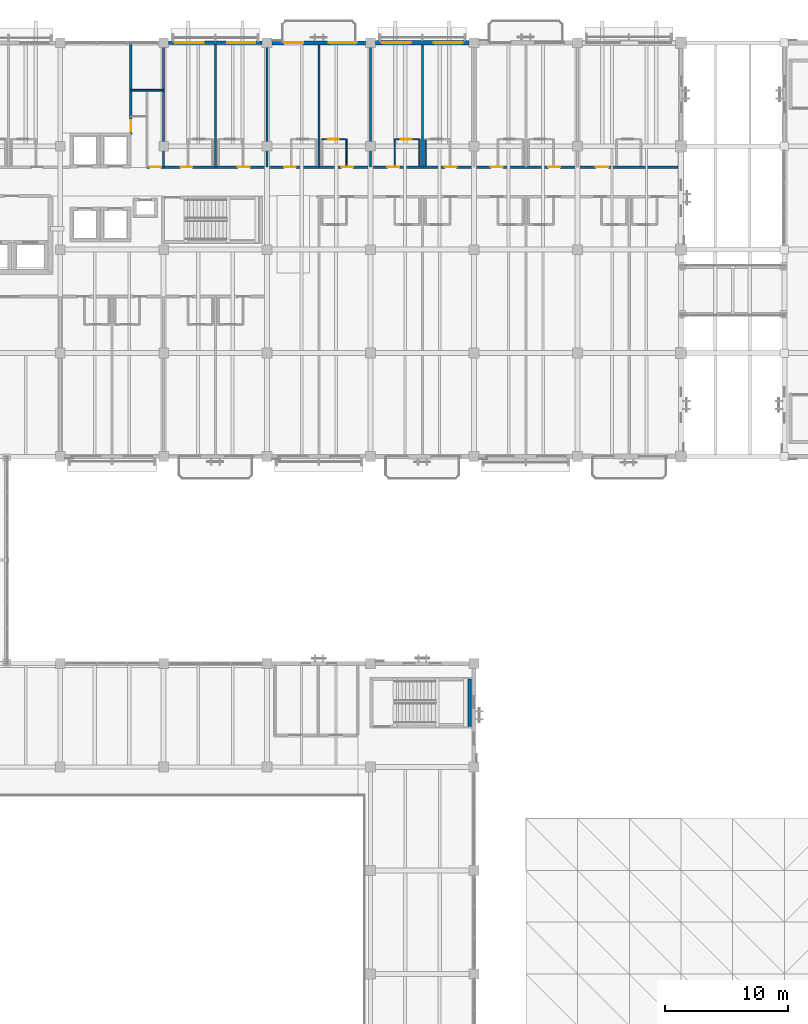
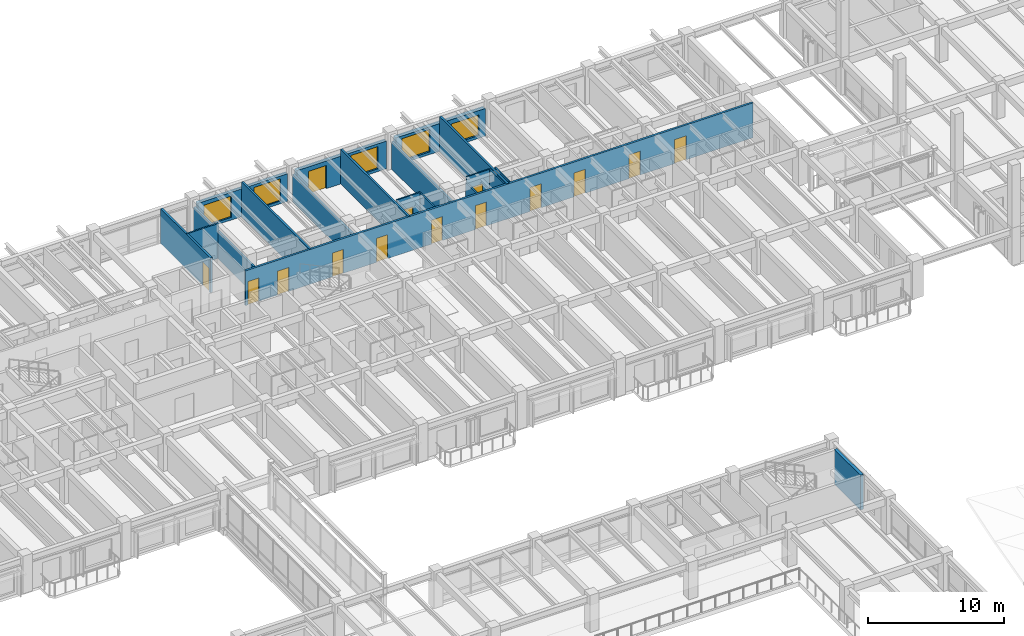
# One storey, part 89 of 123: 19 walls, 14 doors, 5 windows, 19 openings.
"""IFC4 building model written with IfcOpenShell, lengths in metres."""

from ifc_helpers import new_model, si_unit, direction, frame, frame_2d, origin, place, context, subcontext, project, spatial, rectangle, extrude, material, layer, layer_set, type_object, element, fill, save


model = new_model("IFC4")

# Units and contexts
model_context = context("Model", 3, precision=1e-05, world=origin(), true_north=direction((0.0, 1.0)))
body_context = subcontext(model_context, "Body", "Model", "MODEL_VIEW")
ifc_project = project(units=[si_unit("LENGTHUNIT", "METRE"), si_unit("AREAUNIT", "SQUARE_METRE"), si_unit("VOLUMEUNIT", "CUBIC_METRE"), si_unit("PLANEANGLEUNIT", "RADIAN"), si_unit("MASSUNIT", "GRAM", prefix="KILO")], contexts=[model_context])

# Site, building, storey
site_placement = place(None, origin())
site = spatial("IfcSite", under=ifc_project, at=site_placement, CompositionType="ELEMENT")
building_placement = place(site_placement, origin())
building = spatial("IfcBuilding", under=site, at=building_placement, Name="Cumbredor Promenade Congress Hotel", CompositionType="ELEMENT")
storey_placement = place(building_placement, frame((0.0, 0.0, 11.760009765625)))
storey = spatial("IfcBuildingStorey", under=building, at=storey_placement, Name="L03", CompositionType="ELEMENT", Elevation=11.760009765625)

# Wall, opening, door
ifc_material_1 = material(Name="Moisture-resistant gypsum board on steel studs", Category="steel")
ifc_layer_1 = layer(ifc_material_1, 0.114990234375, Name="Moisture-resistant gypsum board on steel studs", Category="steel")
ifc_layer_set_1 = layer_set([ifc_layer_1], Name="Moisture-resistant gypsum board on steel studs")
wall_type_1 = type_object("IfcWallType", Name="WL-BATH-115", PredefinedType="PARTITIONING", material=ifc_layer_set_1)
wall_1_placement = place(storey_placement, frame((54.840087890625, 109.77001953125, 0.0), z_axis=(0.0, 0.0, 1.0), x_axis=(1.0, 0.0, 0.0)))
wall_1 = element("IfcWall", 1, at=wall_1_placement, inside=storey, type_object=wall_type_1, Name="L03 Interior Partition W-L03-BH-0311", PredefinedType="PARTITIONING", context=body_context, shape_type="SweptSolid", body=[
    extrude(rectangle(XDim=2.0, YDim=0.114990234375, at=frame_2d((1.0, 0.0))), origin(), (0.0, 0.0, 1.0), 3.119873046875),
])
opening_1_placement = place(wall_1_placement, frame((0.5, 0.0, 0.0)))
opening_1 = element("IfcOpeningElement", 2, at=opening_1_placement, cuts=wall_1, Name="Opening ID-01", PredefinedType="OPENING", context=body_context, shape_type="SweptSolid", body=[
    extrude(rectangle(XDim=0.860107421875, YDim=2.050048828125, at=frame_2d((0.43017578125, 1.02490234375))), frame((0.0, 0.0673828125, 0.0), z_axis=(0.0, -1.0, 0.0), x_axis=(1.0, 0.0, 0.0)), (0.0, 0.0, 1.0), 0.135009765625),
])
ifc_material_2 = material(Name="Kiln-dried tropical hardwood", Category="wood")
door_type_1 = type_object("IfcDoorType", Name="DR-BATH-860", OperationType="NOTDEFINED", PredefinedType="DOOR", material=ifc_material_2)
door_1_placement = place(opening_1_placement, origin())
door_1 = element("IfcDoor", 3, at=door_1_placement, inside=storey, type_object=door_type_1, Name="L03 Interior Door W-L03-BH-0311-01", OperationType="SINGLE_SWING_LEFT", OverallHeight=2.050048828125, OverallWidth=0.860107421875, PredefinedType="DOOR", context=body_context, shape_type="SweptSolid", body=[
    extrude(rectangle(XDim=0.860107421875, YDim=2.050048828125, at=frame_2d((0.43017578125, 1.02490234375))), frame((0.0, 0.02490234375, 0.0), z_axis=(0.0, -1.0, 0.0), x_axis=(1.0, 0.0, 0.0)), (0.0, 0.0, 1.0), 0.050048828125),
])
fill(opening_1, door_1)

# Wall
wall_2_placement = place(storey_placement, frame((56.840087890625, 107.6201171875, 0.0), z_axis=(0.0, 0.0, 1.0), x_axis=(0.0, 1.0, 0.0)))
element("IfcWall", 4, at=wall_2_placement, inside=storey, type_object=wall_type_1, Name="L03 Interior Partition W-L03-BV2-0311", PredefinedType="PARTITIONING", context=body_context, shape_type="SweptSolid", body=[
    extrude(rectangle(XDim=2.14990234375, YDim=0.114990234375, at=frame_2d((1.074951171875, 0.0))), origin(), (0.0, 0.0, 1.0), 3.119873046875),
])

# Wall, opening, door
wall_3_placement = place(storey_placement, frame((60.760009765625, 109.77001953125, 0.0), z_axis=(0.0, 0.0, 1.0), x_axis=(1.0, 0.0, 0.0)))
wall_3 = element("IfcWall", 5, at=wall_3_placement, inside=storey, type_object=wall_type_1, Name="L03 Interior Partition W-L03-BH-0312", PredefinedType="PARTITIONING", context=body_context, shape_type="SweptSolid", body=[
    extrude(rectangle(XDim=2.0, YDim=0.114990234375, at=frame_2d((1.0, 0.0))), origin(), (0.0, 0.0, 1.0), 3.119873046875),
])
opening_2_placement = place(wall_3_placement, frame((0.5, 0.0, 0.0)))
opening_2 = element("IfcOpeningElement", 6, at=opening_2_placement, cuts=wall_3, Name="Opening ID-01", PredefinedType="OPENING", context=body_context, shape_type="SweptSolid", body=[
    extrude(rectangle(XDim=0.860107421875, YDim=2.050048828125, at=frame_2d((0.43017578125, 1.02490234375))), frame((0.0, 0.0673828125, 0.0), z_axis=(0.0, -1.0, 0.0), x_axis=(1.0, 0.0, 0.0)), (0.0, 0.0, 1.0), 0.135009765625),
])
door_2_placement = place(opening_2_placement, origin())
door_2 = element("IfcDoor", 7, at=door_2_placement, inside=storey, type_object=door_type_1, Name="L03 Interior Door W-L03-BH-0312-01", OperationType="SINGLE_SWING_RIGHT", OverallHeight=2.050048828125, OverallWidth=0.860107421875, PredefinedType="DOOR", context=body_context, shape_type="SweptSolid", body=[
    extrude(rectangle(XDim=0.860107421875, YDim=2.050048828125, at=frame_2d((0.43017578125, 1.02490234375))), frame((0.0, 0.02490234375, 0.0), z_axis=(0.0, -1.0, 0.0), x_axis=(1.0, 0.0, 0.0)), (0.0, 0.0, 1.0), 0.050048828125),
])
fill(opening_2, door_2)

# Walls
wall_4_placement = place(storey_placement, frame((60.760009765625, 107.6201171875, 0.0), z_axis=(0.0, 0.0, 1.0), x_axis=(0.0, 1.0, 0.0)))
element("IfcWall", 8, at=wall_4_placement, inside=storey, type_object=wall_type_1, Name="L03 Interior Partition W-L03-BV1-0312", PredefinedType="PARTITIONING", context=body_context, shape_type="SweptSolid", body=[
    extrude(rectangle(XDim=2.14990234375, YDim=0.114990234375, at=frame_2d((1.074951171875, 0.0))), origin(), (0.0, 0.0, 1.0), 2.64208984375),
])
for number, where, z_axis, x_axis, name in (
    (9, (62.760009765625, 107.6201171875, 0.0), (0.0, 0.0, 1.0), (0.0, 1.0, 0.0), "L03 Interior Partition W-L03-BV2-0312"),
    (10, (63.239990234375, 107.6201171875, 0.0), (0.0, 0.0, 1.0), (0.0, 1.0, 0.0), "L03 Interior Partition W-L03-BV1-0313"),
):
    element("IfcWall", number, at=place(storey_placement, frame(where, z_axis=z_axis, x_axis=x_axis)), inside=storey, type_object=wall_type_1, Name=name, PredefinedType="PARTITIONING", context=body_context, shape_type="SweptSolid", body=[
        extrude(rectangle(XDim=2.14990234375, YDim=0.114990234375, at=frame_2d((1.074951171875, 0.0))), origin(), (0.0, 0.0, 1.0), 3.119873046875),
    ])

# Wall, openings, doors
ifc_material_3 = material(Name="Fire-rated hotel corridor wall")
ifc_layer_2 = layer(ifc_material_3, 0.179931640625, Name="Fire-rated hotel corridor wall")
ifc_layer_set_2 = layer_set([ifc_layer_2], Name="Fire-rated hotel corridor wall")
wall_type_2 = type_object("IfcWallType", Name="WL-CORR-180", PredefinedType="PARTITIONING", material=ifc_layer_set_2)
wall_5_placement = place(storey_placement, frame((40.659912109375, 107.5, 0.0), z_axis=(0.0, 0.0, 1.0), x_axis=(1.0, 0.0, 0.0)))
wall_5 = element("IfcWall", 11, at=wall_5_placement, inside=storey, type_object=wall_type_2, Name="L03 Interior Partition W-L03-CORR-NE", PredefinedType="PARTITIONING", context=body_context, shape_type="SweptSolid", body=[
    extrude(rectangle(XDim=43.114990234375, YDim=0.179931640625, at=frame_2d((21.5576171875, 0.0))), origin(), (0.0, 0.0, 1.0), 3.119873046875),
])
opening_3_placement = place(wall_5_placement, frame((0.199951171875, 0.0, 0.0)))
opening_3 = element("IfcOpeningElement", 12, at=opening_3_placement, cuts=wall_5, Name="Opening FD-03", PredefinedType="OPENING", context=body_context, shape_type="SweptSolid", body=[
    extrude(rectangle(XDim=0.93994140625, YDim=2.10009765625, at=frame_2d((0.469970703125, 1.050048828125))), frame((0.0, 0.10009765625, 0.0), z_axis=(0.0, -1.0, 0.0), x_axis=(1.0, 0.0, 0.0)), (0.0, 0.0, 1.0), 0.199951171875),
])
opening_4_placement = place(wall_5_placement, frame((2.7099609375, 0.0, 0.0)))
opening_4 = element("IfcOpeningElement", 13, at=opening_4_placement, cuts=wall_5, Name="Opening FD-01", PredefinedType="OPENING", context=body_context, shape_type="SweptSolid", body=[
    extrude(rectangle(XDim=0.9599609375, YDim=2.14990234375, at=frame_2d((0.47998046875, 1.074951171875))), frame((0.0, 0.10009765625, 0.0), z_axis=(0.0, -1.0, 0.0), x_axis=(1.0, 0.0, 0.0)), (0.0, 0.0, 1.0), 0.199951171875),
])
opening_5_placement = place(wall_5_placement, frame((7.3701171875, 0.0, 0.0)))
opening_5 = element("IfcOpeningElement", 14, at=opening_5_placement, cuts=wall_5, Name="Opening FD-01", PredefinedType="OPENING", context=body_context, shape_type="SweptSolid", body=[
    extrude(rectangle(XDim=0.9599609375, YDim=2.14990234375, at=frame_2d((0.47998046875, 1.074951171875))), frame((0.0, 0.10009765625, 0.0), z_axis=(0.0, -1.0, 0.0), x_axis=(1.0, 0.0, 0.0)), (0.0, 0.0, 1.0), 0.199951171875),
])
opening_6_placement = place(wall_5_placement, frame((11.110107421875, 0.0, 0.0)))
opening_6 = element("IfcOpeningElement", 15, at=opening_6_placement, cuts=wall_5, Name="Opening FD-01", PredefinedType="OPENING", context=body_context, shape_type="SweptSolid", body=[
    extrude(rectangle(XDim=0.9599609375, YDim=2.14990234375, at=frame_2d((0.47998046875, 1.074951171875))), frame((0.0, 0.10009765625, 0.0), z_axis=(0.0, -1.0, 0.0), x_axis=(1.0, 0.0, 0.0)), (0.0, 0.0, 1.0), 0.199951171875),
])
opening_7_placement = place(wall_5_placement, frame((15.77001953125, 0.0, 0.0)))
opening_7 = element("IfcOpeningElement", 16, at=opening_7_placement, cuts=wall_5, Name="Opening FD-01", PredefinedType="OPENING", context=body_context, shape_type="SweptSolid", body=[
    extrude(rectangle(XDim=0.9599609375, YDim=2.14990234375, at=frame_2d((0.47998046875, 1.074951171875))), frame((0.0, 0.10009765625, 0.0), z_axis=(0.0, -1.0, 0.0), x_axis=(1.0, 0.0, 0.0)), (0.0, 0.0, 1.0), 0.199951171875),
])
opening_8_placement = place(wall_5_placement, frame((19.510009765625, 0.0, 0.0)))
opening_8 = element("IfcOpeningElement", 17, at=opening_8_placement, cuts=wall_5, Name="Opening FD-01", PredefinedType="OPENING", context=body_context, shape_type="SweptSolid", body=[
    extrude(rectangle(XDim=0.9599609375, YDim=2.14990234375, at=frame_2d((0.47998046875, 1.074951171875))), frame((0.0, 0.10009765625, 0.0), z_axis=(0.0, -1.0, 0.0), x_axis=(1.0, 0.0, 0.0)), (0.0, 0.0, 1.0), 0.199951171875),
])
opening_9_placement = place(wall_5_placement, frame((24.169921875, 0.0, 0.0)))
opening_9 = element("IfcOpeningElement", 18, at=opening_9_placement, cuts=wall_5, Name="Opening FD-01", PredefinedType="OPENING", context=body_context, shape_type="SweptSolid", body=[
    extrude(rectangle(XDim=0.9599609375, YDim=2.14990234375, at=frame_2d((0.47998046875, 1.074951171875))), frame((0.0, 0.10009765625, 0.0), z_axis=(0.0, -1.0, 0.0), x_axis=(1.0, 0.0, 0.0)), (0.0, 0.0, 1.0), 0.199951171875),
])
opening_10_placement = place(wall_5_placement, frame((27.909912109375, 0.0, 0.0)))
opening_10 = element("IfcOpeningElement", 19, at=opening_10_placement, cuts=wall_5, Name="Opening FD-01", PredefinedType="OPENING", context=body_context, shape_type="SweptSolid", body=[
    extrude(rectangle(XDim=0.9599609375, YDim=2.14990234375, at=frame_2d((0.47998046875, 1.074951171875))), frame((0.0, 0.10009765625, 0.0), z_axis=(0.0, -1.0, 0.0), x_axis=(1.0, 0.0, 0.0)), (0.0, 0.0, 1.0), 0.199951171875),
])
opening_11_placement = place(wall_5_placement, frame((32.570068359375, 0.0, 0.0)))
opening_11 = element("IfcOpeningElement", 20, at=opening_11_placement, cuts=wall_5, Name="Opening FD-01", PredefinedType="OPENING", context=body_context, shape_type="SweptSolid", body=[
    extrude(rectangle(XDim=0.9599609375, YDim=2.14990234375, at=frame_2d((0.47998046875, 1.074951171875))), frame((0.0, 0.10009765625, 0.0), z_axis=(0.0, -1.0, 0.0), x_axis=(1.0, 0.0, 0.0)), (0.0, 0.0, 1.0), 0.199951171875),
])
opening_12_placement = place(wall_5_placement, frame((36.43994140625, 0.0, 0.0)))
opening_12 = element("IfcOpeningElement", 21, at=opening_12_placement, cuts=wall_5, Name="Opening FD-02", PredefinedType="OPENING", context=body_context, shape_type="SweptSolid", body=[
    extrude(rectangle(XDim=1.02001953125, YDim=2.14990234375, at=frame_2d((0.510009765625, 1.074951171875))), frame((0.0, 0.10009765625, 0.0), z_axis=(0.0, -1.0, 0.0), x_axis=(1.0, 0.0, 0.0)), (0.0, 0.0, 1.0), 0.199951171875),
])
ifc_material_4 = material(Name="Solid-core fire-rated tropical hardwood", Category="wood")
door_type_2 = type_object("IfcDoorType", Name="DR-GUEST-FD30-1000", OperationType="NOTDEFINED", PredefinedType="DOOR", material=ifc_material_4)
door_3_placement = place(opening_12_placement, origin())
door_3 = element("IfcDoor", 22, at=door_3_placement, inside=storey, type_object=door_type_2, Name="L03 Interior Door W-L03-CORR-NE-10", OperationType="SINGLE_SWING_LEFT", OverallHeight=2.14990234375, OverallWidth=1.02001953125, PredefinedType="DOOR", context=body_context, shape_type="SweptSolid", body=[
    extrude(rectangle(XDim=1.02001953125, YDim=2.14990234375, at=frame_2d((0.510009765625, 1.074951171875))), frame((0.0, 0.02490234375, 0.0), z_axis=(0.0, -1.0, 0.0), x_axis=(1.0, 0.0, 0.0)), (0.0, 0.0, 1.0), 0.050048828125),
])
fill(opening_12, door_3)
door_type_3 = type_object("IfcDoorType", Name="DR-GUEST-FD30-950", OperationType="NOTDEFINED", PredefinedType="DOOR", material=ifc_material_4)
door_4_placement = place(opening_4_placement, origin())
door_4 = element("IfcDoor", 23, at=door_4_placement, inside=storey, type_object=door_type_3, Name="L03 Interior Door W-L03-CORR-NE-02", OperationType="SINGLE_SWING_LEFT", OverallHeight=2.14990234375, OverallWidth=0.9599609375, PredefinedType="DOOR", context=body_context, shape_type="SweptSolid", body=[
    extrude(rectangle(XDim=0.9599609375, YDim=2.14990234375, at=frame_2d((0.47998046875, 1.074951171875))), frame((0.0, 0.02490234375, 0.0), z_axis=(0.0, -1.0, 0.0), x_axis=(1.0, 0.0, 0.0)), (0.0, 0.0, 1.0), 0.050048828125),
])
fill(opening_4, door_4)
door_5_placement = place(opening_5_placement, origin())
door_5 = element("IfcDoor", 24, at=door_5_placement, inside=storey, type_object=door_type_3, Name="L03 Interior Door W-L03-CORR-NE-03", OperationType="SINGLE_SWING_RIGHT", OverallHeight=2.14990234375, OverallWidth=0.9599609375, PredefinedType="DOOR", context=body_context, shape_type="SweptSolid", body=[
    extrude(rectangle(XDim=0.9599609375, YDim=2.14990234375, at=frame_2d((0.47998046875, 1.074951171875))), frame((0.0, 0.02490234375, 0.0), z_axis=(0.0, -1.0, 0.0), x_axis=(1.0, 0.0, 0.0)), (0.0, 0.0, 1.0), 0.050048828125),
])
fill(opening_5, door_5)
door_6_placement = place(opening_6_placement, origin())
door_6 = element("IfcDoor", 25, at=door_6_placement, inside=storey, type_object=door_type_3, Name="L03 Interior Door W-L03-CORR-NE-04", OperationType="SINGLE_SWING_LEFT", OverallHeight=2.14990234375, OverallWidth=0.9599609375, PredefinedType="DOOR", context=body_context, shape_type="SweptSolid", body=[
    extrude(rectangle(XDim=0.9599609375, YDim=2.14990234375, at=frame_2d((0.47998046875, 1.074951171875))), frame((0.0, 0.02490234375, 0.0), z_axis=(0.0, -1.0, 0.0), x_axis=(1.0, 0.0, 0.0)), (0.0, 0.0, 1.0), 0.050048828125),
])
fill(opening_6, door_6)
door_7_placement = place(opening_7_placement, origin())
door_7 = element("IfcDoor", 26, at=door_7_placement, inside=storey, type_object=door_type_3, Name="L03 Interior Door W-L03-CORR-NE-05", OperationType="SINGLE_SWING_RIGHT", OverallHeight=2.14990234375, OverallWidth=0.9599609375, PredefinedType="DOOR", context=body_context, shape_type="SweptSolid", body=[
    extrude(rectangle(XDim=0.9599609375, YDim=2.14990234375, at=frame_2d((0.47998046875, 1.074951171875))), frame((0.0, 0.02490234375, 0.0), z_axis=(0.0, -1.0, 0.0), x_axis=(1.0, 0.0, 0.0)), (0.0, 0.0, 1.0), 0.050048828125),
])
fill(opening_7, door_7)
door_8_placement = place(opening_8_placement, origin())
door_8 = element("IfcDoor", 27, at=door_8_placement, inside=storey, type_object=door_type_3, Name="L03 Interior Door W-L03-CORR-NE-06", OperationType="SINGLE_SWING_LEFT", OverallHeight=2.14990234375, OverallWidth=0.9599609375, PredefinedType="DOOR", context=body_context, shape_type="SweptSolid", body=[
    extrude(rectangle(XDim=0.9599609375, YDim=2.14990234375, at=frame_2d((0.47998046875, 1.074951171875))), frame((0.0, 0.02490234375, 0.0), z_axis=(0.0, -1.0, 0.0), x_axis=(1.0, 0.0, 0.0)), (0.0, 0.0, 1.0), 0.050048828125),
])
fill(opening_8, door_8)
door_9_placement = place(opening_9_placement, origin())
door_9 = element("IfcDoor", 28, at=door_9_placement, inside=storey, type_object=door_type_3, Name="L03 Interior Door W-L03-CORR-NE-07", OperationType="SINGLE_SWING_RIGHT", OverallHeight=2.14990234375, OverallWidth=0.9599609375, PredefinedType="DOOR", context=body_context, shape_type="SweptSolid", body=[
    extrude(rectangle(XDim=0.9599609375, YDim=2.14990234375, at=frame_2d((0.47998046875, 1.074951171875))), frame((0.0, 0.02490234375, 0.0), z_axis=(0.0, -1.0, 0.0), x_axis=(1.0, 0.0, 0.0)), (0.0, 0.0, 1.0), 0.050048828125),
])
fill(opening_9, door_9)
door_10_placement = place(opening_10_placement, origin())
door_10 = element("IfcDoor", 29, at=door_10_placement, inside=storey, type_object=door_type_3, Name="L03 Interior Door W-L03-CORR-NE-08", OperationType="SINGLE_SWING_LEFT", OverallHeight=2.14990234375, OverallWidth=0.9599609375, PredefinedType="DOOR", context=body_context, shape_type="SweptSolid", body=[
    extrude(rectangle(XDim=0.9599609375, YDim=2.14990234375, at=frame_2d((0.47998046875, 1.074951171875))), frame((0.0, 0.02490234375, 0.0), z_axis=(0.0, -1.0, 0.0), x_axis=(1.0, 0.0, 0.0)), (0.0, 0.0, 1.0), 0.050048828125),
])
fill(opening_10, door_10)
door_11_placement = place(opening_11_placement, origin())
door_11 = element("IfcDoor", 30, at=door_11_placement, inside=storey, type_object=door_type_3, Name="L03 Interior Door W-L03-CORR-NE-09", OperationType="SINGLE_SWING_RIGHT", OverallHeight=2.14990234375, OverallWidth=0.9599609375, PredefinedType="DOOR", context=body_context, shape_type="SweptSolid", body=[
    extrude(rectangle(XDim=0.9599609375, YDim=2.14990234375, at=frame_2d((0.47998046875, 1.074951171875))), frame((0.0, 0.02490234375, 0.0), z_axis=(0.0, -1.0, 0.0), x_axis=(1.0, 0.0, 0.0)), (0.0, 0.0, 1.0), 0.050048828125),
])
fill(opening_11, door_11)
ifc_material_5 = material(Name="Painted galvanized steel fire door", Category="steel")
door_type_4 = type_object("IfcDoorType", Name="DR-SGL-FD60-950", OperationType="NOTDEFINED", PredefinedType="DOOR", material=ifc_material_5)
door_12_placement = place(opening_3_placement, origin())
door_12 = element("IfcDoor", 31, at=door_12_placement, inside=storey, type_object=door_type_4, Name="L03 Interior Door W-L03-CORR-NE-01", OperationType="SINGLE_SWING_RIGHT", OverallHeight=2.10009765625, OverallWidth=0.93994140625, PredefinedType="DOOR", context=body_context, shape_type="SweptSolid", body=[
    extrude(rectangle(XDim=0.93994140625, YDim=2.10009765625, at=frame_2d((0.469970703125, 1.050048828125))), frame((0.0, 0.02490234375, 0.0), z_axis=(0.0, -1.0, 0.0), x_axis=(1.0, 0.0, 0.0)), (0.0, 0.0, 1.0), 0.050048828125),
])
fill(opening_3, door_12)

# Wall, opening, door
wall_6_placement = place(storey_placement, frame((39.330078125, 110.14990234375, 0.0), z_axis=(0.0, 0.0, 1.0), x_axis=(0.0, 1.0, 0.0)))
wall_6 = element("IfcWall", 32, at=wall_6_placement, inside=storey, type_object=wall_type_2, Name="L03 Interior Partition W-L03-SALON-E", PredefinedType="PARTITIONING", context=body_context, shape_type="SweptSolid", body=[
    extrude(rectangle(XDim=7.31005859375, YDim=0.179931640625, at=frame_2d((3.655029296875, 0.0))), origin(), (0.0, 0.0, 1.0), 3.119873046875),
])
opening_13_placement = place(wall_6_placement, frame((0.219970703125, 0.0, 0.0)))
opening_13 = element("IfcOpeningElement", 33, at=opening_13_placement, cuts=wall_6, Name="Opening FD-03", PredefinedType="OPENING", context=body_context, shape_type="SweptSolid", body=[
    extrude(rectangle(XDim=0.93994140625, YDim=2.10009765625, at=frame_2d((0.469970703125, 1.050048828125))), frame((0.0, 0.10009765625, 0.0), z_axis=(0.0, -1.0, 0.0), x_axis=(1.0, 0.0, 0.0)), (0.0, 0.0, 1.0), 0.199951171875),
])
door_13_placement = place(opening_13_placement, origin())
door_13 = element("IfcDoor", 34, at=door_13_placement, inside=storey, type_object=door_type_4, Name="L03 Interior Door W-L03-SALON-E-01", OperationType="SINGLE_SWING_LEFT", OverallHeight=2.10009765625, OverallWidth=0.93994140625, PredefinedType="DOOR", context=body_context, shape_type="SweptSolid", body=[
    extrude(rectangle(XDim=0.93994140625, YDim=2.10009765625, at=frame_2d((0.469970703125, 1.050048828125))), frame((0.0, 0.02490234375, 0.0), z_axis=(0.0, -1.0, 0.0), x_axis=(1.0, 0.0, 0.0)), (0.0, 0.0, 1.0), 0.050048828125),
])
fill(opening_13, door_13)

# Wall, openings, windows
ifc_material_6 = material(Name="Concrete C40/50", Category="concrete")
ifc_layer_3 = layer(ifc_material_6, 0.300048828125, Name="Concrete C40/50", Category="concrete")
ifc_layer_set_3 = layer_set([ifc_layer_3], Name="Concrete C40/50")
wall_type_3 = type_object("IfcWallType", Name="WL-EXT-300", PredefinedType="SOLIDWALL", material=ifc_layer_set_3)
wall_7_placement = place(storey_placement, frame((42.40087890625, 117.60009765625, 0.0), z_axis=(0.0, 0.0, 1.0), x_axis=(1.0, 0.0, 0.0)))
wall_7 = element("IfcWall", 35, at=wall_7_placement, inside=storey, type_object=wall_type_3, Name="L03 Stepped Congress Hotel Wing North Envelope Wall 6", PredefinedType="SOLIDWALL", context=body_context, shape_type="SweptSolid", body=[
    extrude(rectangle(XDim=7.59814453125, YDim=0.300048828125, at=frame_2d((3.799072265625, 0.0))), origin(), (0.0, 0.0, 1.0), 2.493896484375),
])
opening_14_placement = place(wall_7_placement, frame((0.5390625, 0.0, 0.25)))
opening_14 = element("IfcOpeningElement", 36, at=opening_14_placement, cuts=wall_7, Name="Opening WN-36", PredefinedType="OPENING", context=body_context, shape_type="SweptSolid", body=[
    extrude(rectangle(XDim=2.320068359375, YDim=1.89990234375, at=frame_2d((1.16015625, 0.949951171875))), frame((0.0, 0.16015625, 0.0), z_axis=(0.0, -1.0, 0.0), x_axis=(1.0, 0.0, 0.0)), (0.0, 0.0, 1.0), 0.320068359375),
])
opening_15_placement = place(wall_7_placement, frame((4.759033203125, 0.0, 0.25)))
opening_15 = element("IfcOpeningElement", 37, at=opening_15_placement, cuts=wall_7, Name="Opening WN-40", PredefinedType="OPENING", context=body_context, shape_type="SweptSolid", body=[
    extrude(rectangle(XDim=2.280029296875, YDim=2.0, at=frame_2d((1.14013671875, 1.0))), frame((0.0, 0.16015625, 0.0), z_axis=(0.0, -1.0, 0.0), x_axis=(1.0, 0.0, 0.0)), (0.0, 0.0, 1.0), 0.320068359375),
])
ifc_material_7 = material(Name="Thermally broken anodized aluminium and low-E glass", Category="aluminium")
window_type_1 = type_object("IfcWindowType", Name="Hospitality Floor-to-Ceiling Window WN-36 2320x1900", PartitioningType="DOUBLE_PANEL_VERTICAL", PredefinedType="WINDOW", material=ifc_material_7)
window_1_placement = place(opening_14_placement, origin())
window_1 = element("IfcWindow", 38, at=window_1_placement, inside=storey, type_object=window_type_1, Name="L03 Wide Hospitality Window 0422", OverallHeight=1.89990234375, OverallWidth=2.320068359375, PartitioningType="DOUBLE_PANEL_VERTICAL", PredefinedType="WINDOW", context=body_context, shape_type="SweptSolid", body=[
    extrude(rectangle(XDim=2.320068359375, YDim=1.89990234375, at=frame_2d((1.16015625, 0.949951171875))), frame((0.0, 0.030029296875, 0.0), z_axis=(0.0, -1.0, 0.0), x_axis=(1.0, 0.0, 0.0)), (0.0, 0.0, 1.0), 0.06005859375),
])
fill(opening_14, window_1)
window_type_2 = type_object("IfcWindowType", Name="Hospitality Floor-to-Ceiling Window WN-40 2280x2000", PartitioningType="DOUBLE_PANEL_VERTICAL", PredefinedType="WINDOW", material=ifc_material_7)
window_2_placement = place(opening_15_placement, origin())
window_2 = element("IfcWindow", 39, at=window_2_placement, inside=storey, type_object=window_type_2, Name="L03 Wide Hospitality Window 0423", OverallHeight=2.0, OverallWidth=2.280029296875, PartitioningType="DOUBLE_PANEL_VERTICAL", PredefinedType="WINDOW", context=body_context, shape_type="SweptSolid", body=[
    extrude(rectangle(XDim=2.280029296875, YDim=2.0, at=frame_2d((1.14013671875, 1.0))), frame((0.0, 0.030029296875, 0.0), z_axis=(0.0, -1.0, 0.0), x_axis=(1.0, 0.0, 0.0)), (0.0, 0.0, 1.0), 0.06005859375),
])
fill(opening_15, window_2)

# Wall, openings, door, window
ifc_layer_4 = layer(ifc_material_6, 0.324951171875, Name="Concrete C40/50", Category="concrete")
ifc_layer_set_4 = layer_set([ifc_layer_4], Name="Concrete C40/50")
wall_type_4 = type_object("IfcWallType", Name="WL-EXT-325", PredefinedType="SOLIDWALL", material=ifc_layer_set_4)
wall_8_placement = place(storey_placement, frame((50.801025390625, 117.60009765625, 0.0), z_axis=(0.0, 0.0, 1.0), x_axis=(1.0, 0.0, 0.0)))
wall_8 = element("IfcWall", 40, at=wall_8_placement, inside=storey, type_object=wall_type_4, Name="L03 Stepped Congress Hotel Wing North Envelope Wall 7", PredefinedType="SOLIDWALL", context=body_context, shape_type="SweptSolid", body=[
    extrude(rectangle(XDim=7.597900390625, YDim=0.324951171875, at=frame_2d((3.798828125, 0.0))), origin(), (0.0, 0.0, 1.0), 2.493896484375),
])
opening_16_placement = place(wall_8_placement, frame((0.97412109375, 0.0, 0.0)))
opening_16 = element("IfcOpeningElement", 41, at=opening_16_placement, cuts=wall_8, Name="Opening TD-01", PredefinedType="OPENING", context=body_context, shape_type="SweptSolid", body=[
    extrude(rectangle(XDim=1.550048828125, YDim=2.080078125, at=frame_2d((0.77490234375, 1.0400390625))), frame((0.0, 0.17236328125, 0.0), z_axis=(0.0, -1.0, 0.0), x_axis=(1.0, 0.0, 0.0)), (0.0, 0.0, 1.0), 0.344970703125),
])
opening_17_placement = place(wall_8_placement, frame((4.60888671875, 0.0, 0.25)))
opening_17 = element("IfcOpeningElement", 42, at=opening_17_placement, cuts=wall_8, Name="Opening WN-40", PredefinedType="OPENING", context=body_context, shape_type="SweptSolid", body=[
    extrude(rectangle(XDim=2.280029296875, YDim=2.0, at=frame_2d((1.14013671875, 1.0))), frame((0.0, 0.17236328125, 0.0), z_axis=(0.0, -1.0, 0.0), x_axis=(1.0, 0.0, 0.0)), (0.0, 0.0, 1.0), 0.344970703125),
])
ifc_material_8 = material(Name="Thermally broken anodized aluminium and laminated safety glass", Category="aluminium")
door_type_5 = type_object("IfcDoorType", Name="EXT-DR-TER-1550x2080", OperationType="DOUBLE_DOOR_SINGLE_SWING", PredefinedType="DOOR", material=ifc_material_8)
door_14_placement = place(opening_16_placement, origin())
door_14 = element("IfcDoor", 43, at=door_14_placement, inside=storey, type_object=door_type_5, Name="L03 Guestroom Veranda Balcony Door 048", OperationType="DOUBLE_DOOR_SINGLE_SWING", OverallHeight=2.080078125, OverallWidth=1.550048828125, PredefinedType="DOOR", context=body_context, shape_type="SweptSolid", body=[
    extrude(rectangle(XDim=1.550048828125, YDim=2.080078125, at=frame_2d((0.77490234375, 1.0400390625))), frame((0.0, 0.02490234375, 0.0), z_axis=(0.0, -1.0, 0.0), x_axis=(1.0, 0.0, 0.0)), (0.0, 0.0, 1.0), 0.050048828125),
])
fill(opening_16, door_14)
window_3_placement = place(opening_17_placement, origin())
window_3 = element("IfcWindow", 44, at=window_3_placement, inside=storey, type_object=window_type_2, Name="L03 Veranda Companion Floor-to-Ceiling Window 0424", OverallHeight=2.0, OverallWidth=2.280029296875, PartitioningType="DOUBLE_PANEL_VERTICAL", PredefinedType="WINDOW", context=body_context, shape_type="SweptSolid", body=[
    extrude(rectangle(XDim=2.280029296875, YDim=2.0, at=frame_2d((1.14013671875, 1.0))), frame((0.0, 0.030029296875, 0.0), z_axis=(0.0, -1.0, 0.0), x_axis=(1.0, 0.0, 0.0)), (0.0, 0.0, 1.0), 0.06005859375),
])
fill(opening_17, window_3)

# Wall, openings, windows
ifc_layer_5 = layer(ifc_material_6, 0.35009765625, Name="Concrete C40/50", Category="concrete")
ifc_layer_set_5 = layer_set([ifc_layer_5], Name="Concrete C40/50")
wall_type_5 = type_object("IfcWallType", Name="WL-EXT-350", PredefinedType="SOLIDWALL", material=ifc_layer_set_5)
wall_9_placement = place(storey_placement, frame((59.200927734375, 117.60009765625, 0.0), z_axis=(0.0, 0.0, 1.0), x_axis=(1.0, 0.0, 0.0)))
wall_9 = element("IfcWall", 45, at=wall_9_placement, inside=storey, type_object=wall_type_5, Name="L03 Stepped Congress Hotel Wing North Envelope Wall 8", PredefinedType="SOLIDWALL", context=body_context, shape_type="SweptSolid", body=[
    extrude(rectangle(XDim=7.59814453125, YDim=0.35009765625, at=frame_2d((3.799072265625, 0.0))), origin(), (0.0, 0.0, 1.0), 2.493896484375),
])
opening_18_placement = place(wall_9_placement, frame((0.509033203125, 0.0, 0.25)))
opening_18 = element("IfcOpeningElement", 46, at=opening_18_placement, cuts=wall_9, Name="Opening WN-41", PredefinedType="OPENING", context=body_context, shape_type="SweptSolid", body=[
    extrude(rectangle(XDim=2.3798828125, YDim=2.0, at=frame_2d((1.18994140625, 1.0))), frame((0.0, 0.18505859375, 0.0), z_axis=(0.0, -1.0, 0.0), x_axis=(1.0, 0.0, 0.0)), (0.0, 0.0, 1.0), 0.3701171875),
])
opening_19_placement = place(wall_9_placement, frame((4.72412109375, 0.0, 0.25)))
opening_19 = element("IfcOpeningElement", 47, at=opening_19_placement, cuts=wall_9, Name="Opening WN-02", PredefinedType="OPENING", context=body_context, shape_type="SweptSolid", body=[
    extrude(rectangle(XDim=2.35009765625, YDim=1.85009765625, at=frame_2d((1.175048828125, 0.925048828125))), frame((0.0, 0.18505859375, 0.0), z_axis=(0.0, -1.0, 0.0), x_axis=(1.0, 0.0, 0.0)), (0.0, 0.0, 1.0), 0.3701171875),
])
window_type_3 = type_object("IfcWindowType", Name="Hospitality Floor-to-Ceiling Window WN-02 2350x1850", PartitioningType="DOUBLE_PANEL_VERTICAL", PredefinedType="WINDOW", material=ifc_material_7)
window_4_placement = place(opening_19_placement, origin())
window_4 = element("IfcWindow", 48, at=window_4_placement, inside=storey, type_object=window_type_3, Name="L03 Wide Hospitality Window 0426", OverallHeight=1.85009765625, OverallWidth=2.35009765625, PartitioningType="DOUBLE_PANEL_VERTICAL", PredefinedType="WINDOW", context=body_context, shape_type="SweptSolid", body=[
    extrude(rectangle(XDim=2.35009765625, YDim=1.85009765625, at=frame_2d((1.175048828125, 0.925048828125))), frame((0.0, 0.030029296875, 0.0), z_axis=(0.0, -1.0, 0.0), x_axis=(1.0, 0.0, 0.0)), (0.0, 0.0, 1.0), 0.06005859375),
])
fill(opening_19, window_4)
window_type_4 = type_object("IfcWindowType", Name="Hospitality Floor-to-Ceiling Window WN-41 2380x2000", PartitioningType="DOUBLE_PANEL_VERTICAL", PredefinedType="WINDOW", material=ifc_material_7)
window_5_placement = place(opening_18_placement, origin())
window_5 = element("IfcWindow", 49, at=window_5_placement, inside=storey, type_object=window_type_4, Name="L03 Wide Hospitality Window 0425", OverallHeight=2.0, OverallWidth=2.3798828125, PartitioningType="DOUBLE_PANEL_VERTICAL", PredefinedType="WINDOW", context=body_context, shape_type="SweptSolid", body=[
    extrude(rectangle(XDim=2.3798828125, YDim=2.0, at=frame_2d((1.18994140625, 1.0))), frame((0.0, 0.030029296875, 0.0), z_axis=(0.0, -1.0, 0.0), x_axis=(1.0, 0.0, 0.0)), (0.0, 0.0, 1.0), 0.06005859375),
])
fill(opening_18, window_5)

# Walls
ifc_material_9 = material(Name="Acoustic gypsum partition on steel studs", Category="steel")
ifc_layer_6 = layer(ifc_material_9, 0.139892578125, Name="Acoustic gypsum partition on steel studs", Category="steel")
ifc_layer_set_6 = layer_set([ifc_layer_6], Name="Acoustic gypsum partition on steel studs")
wall_type_6 = type_object("IfcWallType", Name="WL-PART-140", PredefinedType="PARTITIONING", material=ifc_layer_set_6)
wall_10_placement = place(storey_placement, frame((39.330078125, 113.75, 0.0), z_axis=(0.0, 0.0, 1.0), x_axis=(1.0, 0.0, 0.0)))
element("IfcWall", 50, at=wall_10_placement, inside=storey, type_object=wall_type_6, Name="L03 Interior Partition W-L03-HK-N", PredefinedType="PARTITIONING", context=body_context, shape_type="SweptSolid", body=[
    extrude(rectangle(XDim=2.669921875, YDim=0.139892578125, at=frame_2d((1.3349609375, 0.0))), origin(), (0.0, 0.0, 1.0), 3.119873046875),
])
ifc_layer_7 = layer(ifc_material_6, 0.2548828125, Name="Concrete C40/50", Category="concrete")
ifc_layer_set_7 = layer_set([ifc_layer_7], Name="Concrete C40/50")
wall_type_7 = type_object("IfcWallType", Name="WL-SHAFT-250", PredefinedType="SOLIDWALL", material=ifc_layer_set_7)
wall_11_placement = place(storey_placement, frame((66.85009765625, 62.10009765625, 0.0), z_axis=(0.0, 0.0, 1.0), x_axis=(0.0, 1.0, 0.0)))
element("IfcWall", 51, at=wall_11_placement, inside=storey, type_object=wall_type_7, Name="STAIR-ST-07-L03 Shaft Wall East", PredefinedType="SOLIDWALL", context=body_context, shape_type="SweptSolid", body=[
    extrude(rectangle(XDim=3.849853515625, YDim=0.2548828125, at=frame_2d((1.9248046875, 0.0))), origin(), (0.0, 0.0, 1.0), 3.119873046875),
])
ifc_material_10 = material(Name="Fire-rated acoustic double-stud partition")
ifc_layer_8 = layer(ifc_material_10, 0.1650390625, Name="Fire-rated acoustic double-stud partition")
ifc_layer_set_8 = layer_set([ifc_layer_8], Name="Fire-rated acoustic double-stud partition")
wall_type_8 = type_object("IfcWallType", Name="WL-UNIT-165", PredefinedType="PARTITIONING", material=ifc_layer_set_8)
wall_12_placement = place(storey_placement, frame((46.199951171875, 107.5, 0.0), z_axis=(0.0, 0.0, 1.0), x_axis=(0.0, 1.0, 0.0)))
element("IfcWall", 52, at=wall_12_placement, inside=storey, type_object=wall_type_8, Name="L03 Interior Partition W-L03-N-DIV-5-M", PredefinedType="PARTITIONING", context=body_context, shape_type="SweptSolid", body=[
    extrude(rectangle(XDim=9.949951171875, YDim=0.1650390625, at=frame_2d((4.97509765625, 0.0))), origin(), (0.0, 0.0, 1.0), 3.119873046875),
])
wall_13_placement = place(storey_placement, frame((42.0, 107.5, 0.0), z_axis=(0.0, 0.0, 1.0), x_axis=(0.0, 1.0, 0.0)))
element("IfcWall", 53, at=wall_13_placement, inside=storey, type_object=wall_type_8, Name="L03 Interior Partition W-L03-N-DIV-5-G", PredefinedType="PARTITIONING", context=body_context, shape_type="SweptSolid", body=[
    extrude(rectangle(XDim=9.75, YDim=0.1650390625, at=frame_2d((4.875, 0.0))), origin(), (0.0, 0.0, 1.0), 2.455078125),
])
wall_14_placement = place(storey_placement, frame((54.60009765625, 107.5, 0.0), z_axis=(0.0, 0.0, 1.0), x_axis=(0.0, 1.0, 0.0)))
element("IfcWall", 54, at=wall_14_placement, inside=storey, type_object=wall_type_8, Name="L03 Interior Partition W-L03-N-DIV-6-M", PredefinedType="PARTITIONING", context=body_context, shape_type="SweptSolid", body=[
    extrude(rectangle(XDim=9.9375, YDim=0.1650390625, at=frame_2d((4.96875, 0.0))), origin(), (0.0, 0.0, 1.0), 3.119873046875),
])
wall_15_placement = place(storey_placement, frame((50.39990234375, 107.5, 0.0), z_axis=(0.0, 0.0, 1.0), x_axis=(0.0, 1.0, 0.0)))
element("IfcWall", 55, at=wall_15_placement, inside=storey, type_object=wall_type_8, Name="L03 Interior Partition W-L03-N-DIV-6-G", PredefinedType="PARTITIONING", context=body_context, shape_type="SweptSolid", body=[
    extrude(rectangle(XDim=9.75, YDim=0.1650390625, at=frame_2d((4.875, 0.0))), origin(), (0.0, 0.0, 1.0), 2.455078125),
])
wall_16_placement = place(storey_placement, frame((63.0, 107.5, 0.0), z_axis=(0.0, 0.0, 1.0), x_axis=(0.0, 1.0, 0.0)))
element("IfcWall", 56, at=wall_16_placement, inside=storey, type_object=wall_type_8, Name="L03 Interior Partition W-L03-N-DIV-7-M", PredefinedType="PARTITIONING", context=body_context, shape_type="SweptSolid", body=[
    extrude(rectangle(XDim=9.925048828125, YDim=0.1650390625, at=frame_2d((4.96240234375, 0.0))), origin(), (0.0, 0.0, 1.0), 3.119873046875),
])
wall_17_placement = place(storey_placement, frame((58.800048828125, 107.5, 0.0), z_axis=(0.0, 0.0, 1.0), x_axis=(0.0, 1.0, 0.0)))
element("IfcWall", 57, at=wall_17_placement, inside=storey, type_object=wall_type_8, Name="L03 Interior Partition W-L03-N-DIV-7-G", PredefinedType="PARTITIONING", context=body_context, shape_type="SweptSolid", body=[
    extrude(rectangle(XDim=9.75, YDim=0.1650390625, at=frame_2d((4.875, 0.0))), origin(), (0.0, 0.0, 1.0), 2.455078125),
])

save(model, "model.ifc")
